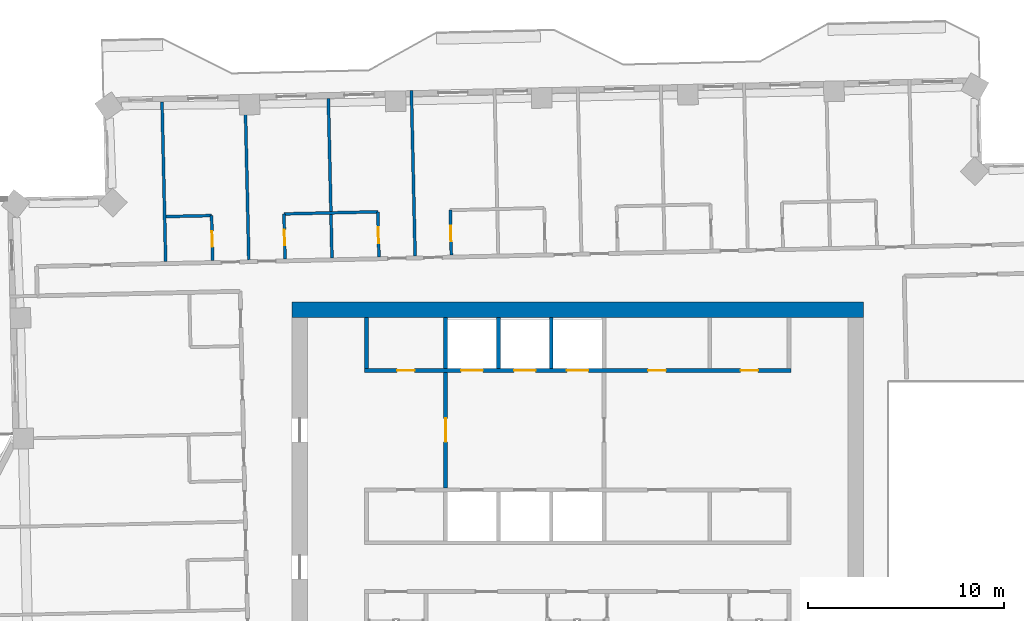
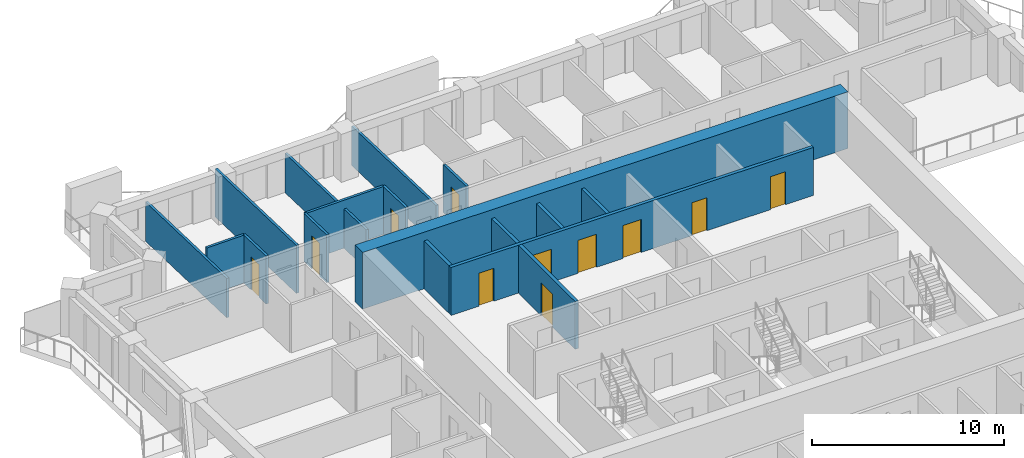
# One storey, part 10 of 17: 17 walls, 11 doors, 11 openings.
"""IFC4 building model written with IfcOpenShell, lengths in metres."""

from ifc_helpers import new_model, si_unit, direction, frame, frame_2d, origin, place, context, subcontext, project, spatial, rectangle, extrude, material, layer, layer_set, type_object, element, fill, save


model = new_model("IFC4")

# Units and contexts
model_context = context("Model", 3, precision=1e-05, world=origin(), true_north=direction((0.0, 1.0)))
body_context = subcontext(model_context, "Body", "Model", "MODEL_VIEW")
ifc_project = project(units=[si_unit("LENGTHUNIT", "METRE"), si_unit("AREAUNIT", "SQUARE_METRE"), si_unit("VOLUMEUNIT", "CUBIC_METRE"), si_unit("PLANEANGLEUNIT", "RADIAN"), si_unit("MASSUNIT", "GRAM", prefix="KILO")], contexts=[model_context])

# Site, building, storey
site_placement = place(None, origin())
site = spatial("IfcSite", under=ifc_project, at=site_placement, CompositionType="ELEMENT")
building_placement = place(site_placement, origin())
building = spatial("IfcBuilding", under=site, at=building_placement, Name="Mangrove Gate Tower", CompositionType="ELEMENT")
storey_placement = place(building_placement, frame((0.0, 0.0, 245.5)))
storey = spatial("IfcBuildingStorey", under=building, at=storey_placement, Name="L62", CompositionType="ELEMENT", Elevation=245.5)

# Wall, opening, door
ifc_material_1 = material(Name="Concrete C32/40", Category="concrete")
ifc_layer_1 = layer(ifc_material_1, 0.199951171875)
ifc_layer_set_1 = layer_set([ifc_layer_1], Name="Core lobby wall 200 C32/40")
wall_type_1 = type_object("IfcWallType", Name="Core lobby wall 200 C32/40", PredefinedType="STANDARD", material=ifc_layer_set_1)
wall_1_placement = place(storey_placement, frame((-6.75, 2.10009765625, 0.0), z_axis=(0.0, 0.0, 1.0), x_axis=(0.0, 1.0, 0.0)))
wall_1 = element("IfcWall", 1, at=wall_1_placement, inside=storey, type_object=wall_type_1, Name="WALL-L62-CORE-33", PredefinedType="STANDARD", context=body_context, shape_type="SweptSolid", body=[
    extrude(rectangle(XDim=5.89990234375, YDim=0.199951171875, at=frame_2d((2.949951171875, 0.0))), origin(), (0.0, 0.0, 1.0), 3.050048828125),
])
opening_1_placement = place(wall_1_placement, frame((2.35009765625, 0.0, 0.0)))
opening_1 = element("IfcOpeningElement", 2, at=opening_1_placement, cuts=wall_1, Name="Opening FL12", PredefinedType="OPENING", context=body_context, shape_type="SweptSolid", body=[
    extrude(rectangle(XDim=1.199951171875, YDim=2.10009765625, at=frame_2d((0.60009765625, 1.050048828125))), frame((0.0, 0.10986328125, 0.0), z_axis=(0.0, -1.0, 0.0), x_axis=(1.0, 0.0, 0.0)), (0.0, 0.0, 1.0), 0.219970703125),
])
ifc_material_2 = material(Name="Fire-rated steel door set", Category="steel")
door_type_1 = type_object("IfcDoorType", Name="Lobby door FD60 1200x2100", OperationType="SINGLE_SWING_LEFT", PredefinedType="DOOR", material=ifc_material_2)
door_1_placement = place(opening_1_placement, origin())
door_1 = element("IfcDoor", 3, at=door_1_placement, inside=storey, type_object=door_type_1, Name="Lobby door lift lobby partition", OperationType="SINGLE_SWING_LEFT", OverallHeight=2.10009765625, OverallWidth=1.199951171875, PredefinedType="DOOR", context=body_context, shape_type="SweptSolid", body=[
    extrude(rectangle(XDim=1.199951171875, YDim=2.10009765625, at=frame_2d((0.60009765625, 1.050048828125))), frame((0.0, 0.02490234375, 0.0), z_axis=(0.0, -1.0, 0.0), x_axis=(1.0, 0.0, 0.0)), (0.0, 0.0, 1.0), 0.050048828125),
])
fill(opening_1, door_1)

# Wall
ifc_material_3 = material(Name="Concrete C32/40", Category="concrete")
ifc_layer_2 = layer(ifc_material_3, 0.199951171875)
ifc_layer_set_2 = layer_set([ifc_layer_2], Name="Core room wall 200 C32/40")
wall_type_2 = type_object("IfcWallType", Name="Core room wall 200 C32/40", PredefinedType="STANDARD", material=ifc_layer_set_2)
wall_2_placement = place(storey_placement, frame((-10.800048828125, 8.199951171875, 0.0), z_axis=(0.0, 0.0, 1.0), x_axis=(0.0, 1.0, 0.0)))
element("IfcWall", 4, at=wall_2_placement, inside=storey, type_object=wall_type_2, Name="WALL-L62-CORE-26", PredefinedType="STANDARD", context=body_context, shape_type="SweptSolid", body=[
    extrude(rectangle(XDim=2.60009765625, YDim=0.199951171875, at=frame_2d((1.300048828125, 0.0))), origin(), (0.0, 0.0, 1.0), 3.050048828125),
])

# Wall, openings, doors
ifc_material_4 = material(Name="Concrete C60/75", Category="concrete")
ifc_layer_3 = layer(ifc_material_4, 0.199951171875)
ifc_layer_set_3 = layer_set([ifc_layer_3], Name="Core shaft wall 200 C60/75")
wall_type_3 = type_object("IfcWallType", Name="Core shaft wall 200 C60/75", PredefinedType="SHEAR", material=ifc_layer_set_3)
wall_3_placement = place(storey_placement, frame((-10.89990234375, 8.10009765625, 0.0), z_axis=(0.0, 0.0, 1.0), x_axis=(1.0, 0.0, 0.0)))
wall_3 = element("IfcWall", 5, at=wall_3_placement, inside=storey, type_object=wall_type_3, Name="WALL-L62-CORE-8", PredefinedType="SHEAR", context=body_context, shape_type="SweptSolid", body=[
    extrude(rectangle(XDim=21.7998046875, YDim=0.199951171875, at=frame_2d((10.89990234375, 0.0))), origin(), (0.0, 0.0, 1.0), 3.050048828125),
])
opening_2_placement = place(wall_3_placement, frame((4.949951171875, 0.0, 0.0)))
opening_2 = element("IfcOpeningElement", 6, at=opening_2_placement, cuts=wall_3, Name="Opening LD", PredefinedType="OPENING", context=body_context, shape_type="SweptSolid", body=[
    extrude(rectangle(XDim=1.10009765625, YDim=2.10009765625, at=frame_2d((0.550048828125, 1.050048828125))), frame((0.0, 0.10986328125, 0.0), z_axis=(0.0, -1.0, 0.0), x_axis=(1.0, 0.0, 0.0)), (0.0, 0.0, 1.0), 0.219970703125),
])
opening_3_placement = place(wall_3_placement, frame((7.64990234375, 0.0, 0.0)))
opening_3 = element("IfcOpeningElement", 7, at=opening_3_placement, cuts=wall_3, Name="Opening LD", PredefinedType="OPENING", context=body_context, shape_type="SweptSolid", body=[
    extrude(rectangle(XDim=1.10009765625, YDim=2.10009765625, at=frame_2d((0.550048828125, 1.050048828125))), frame((0.0, 0.10986328125, 0.0), z_axis=(0.0, -1.0, 0.0), x_axis=(1.0, 0.0, 0.0)), (0.0, 0.0, 1.0), 0.219970703125),
])
opening_4_placement = place(wall_3_placement, frame((10.35009765625, 0.0, 0.0)))
opening_4 = element("IfcOpeningElement", 8, at=opening_4_placement, cuts=wall_3, Name="Opening LD", PredefinedType="OPENING", context=body_context, shape_type="SweptSolid", body=[
    extrude(rectangle(XDim=1.10009765625, YDim=2.10009765625, at=frame_2d((0.550048828125, 1.050048828125))), frame((0.0, 0.10986328125, 0.0), z_axis=(0.0, -1.0, 0.0), x_axis=(1.0, 0.0, 0.0)), (0.0, 0.0, 1.0), 0.219970703125),
])
opening_5_placement = place(wall_3_placement, frame((1.675048828125, 0.0, 0.0)))
opening_5 = element("IfcOpeningElement", 9, at=opening_5_placement, cuts=wall_3, Name="Opening KD", PredefinedType="OPENING", context=body_context, shape_type="SweptSolid", body=[
    extrude(rectangle(XDim=0.89990234375, YDim=2.10009765625, at=frame_2d((0.449951171875, 1.050048828125))), frame((0.0, 0.10986328125, 0.0), z_axis=(0.0, -1.0, 0.0), x_axis=(1.0, 0.0, 0.0)), (0.0, 0.0, 1.0), 0.219970703125),
])
opening_6_placement = place(wall_3_placement, frame((14.5, 0.0, 0.0)))
opening_6 = element("IfcOpeningElement", 10, at=opening_6_placement, cuts=wall_3, Name="Opening RD", PredefinedType="OPENING", context=body_context, shape_type="SweptSolid", body=[
    extrude(rectangle(XDim=0.89990234375, YDim=2.10009765625, at=frame_2d((0.449951171875, 1.050048828125))), frame((0.0, 0.10986328125, 0.0), z_axis=(0.0, -1.0, 0.0), x_axis=(1.0, 0.0, 0.0)), (0.0, 0.0, 1.0), 0.219970703125),
])
opening_7_placement = place(wall_3_placement, frame((19.22509765625, 0.0, 0.0)))
opening_7 = element("IfcOpeningElement", 11, at=opening_7_placement, cuts=wall_3, Name="Opening RD", PredefinedType="OPENING", context=body_context, shape_type="SweptSolid", body=[
    extrude(rectangle(XDim=0.89990234375, YDim=2.10009765625, at=frame_2d((0.449951171875, 1.050048828125))), frame((0.0, 0.10986328125, 0.0), z_axis=(0.0, -1.0, 0.0), x_axis=(1.0, 0.0, 0.0)), (0.0, 0.0, 1.0), 0.219970703125),
])
ifc_material_5 = material(Name="Fire-rated steel door set", Category="steel")
door_type_2 = type_object("IfcDoorType", Name="Core room door FD30S 900x2100", OperationType="SINGLE_SWING_RIGHT", PredefinedType="DOOR", material=ifc_material_5)
door_2_placement = place(opening_5_placement, origin())
door_2 = element("IfcDoor", 12, at=door_2_placement, inside=storey, type_object=door_type_2, Name="Core room door Linen store", OperationType="SINGLE_SWING_RIGHT", OverallHeight=2.10009765625, OverallWidth=0.89990234375, PredefinedType="DOOR", context=body_context, shape_type="SweptSolid", body=[
    extrude(rectangle(XDim=0.89990234375, YDim=2.10009765625, at=frame_2d((0.449951171875, 1.050048828125))), frame((0.0, 0.02490234375, 0.0), z_axis=(0.0, -1.0, 0.0), x_axis=(1.0, 0.0, 0.0)), (0.0, 0.0, 1.0), 0.050048828125),
])
fill(opening_5, door_2)
ifc_material_6 = material(Name="Stainless steel 316", Category="steel")
door_type_3 = type_object("IfcDoorType", Name="Lift landing door 1100x2100", OperationType="SLIDING_TO_LEFT", PredefinedType="DOOR", material=ifc_material_6)
door_3_placement = place(opening_2_placement, origin())
door_3 = element("IfcDoor", 13, at=door_3_placement, inside=storey, type_object=door_type_3, Name="Landing door LD H04", OperationType="SLIDING_TO_LEFT", OverallHeight=2.10009765625, OverallWidth=1.10009765625, PredefinedType="DOOR", context=body_context, shape_type="SweptSolid", body=[
    extrude(rectangle(XDim=1.10009765625, YDim=2.10009765625, at=frame_2d((0.550048828125, 1.050048828125))), frame((0.0, 0.02490234375, 0.0), z_axis=(0.0, -1.0, 0.0), x_axis=(1.0, 0.0, 0.0)), (0.0, 0.0, 1.0), 0.050048828125),
])
fill(opening_2, door_3)
door_4_placement = place(opening_3_placement, origin())
door_4 = element("IfcDoor", 14, at=door_4_placement, inside=storey, type_object=door_type_3, Name="Landing door LD H05", OperationType="SLIDING_TO_LEFT", OverallHeight=2.10009765625, OverallWidth=1.10009765625, PredefinedType="DOOR", context=body_context, shape_type="SweptSolid", body=[
    extrude(rectangle(XDim=1.10009765625, YDim=2.10009765625, at=frame_2d((0.550048828125, 1.050048828125))), frame((0.0, 0.02490234375, 0.0), z_axis=(0.0, -1.0, 0.0), x_axis=(1.0, 0.0, 0.0)), (0.0, 0.0, 1.0), 0.050048828125),
])
fill(opening_3, door_4)
door_5_placement = place(opening_4_placement, origin())
door_5 = element("IfcDoor", 15, at=door_5_placement, inside=storey, type_object=door_type_3, Name="Landing door LD H06", OperationType="SLIDING_TO_LEFT", OverallHeight=2.10009765625, OverallWidth=1.10009765625, PredefinedType="DOOR", context=body_context, shape_type="SweptSolid", body=[
    extrude(rectangle(XDim=1.10009765625, YDim=2.10009765625, at=frame_2d((0.550048828125, 1.050048828125))), frame((0.0, 0.02490234375, 0.0), z_axis=(0.0, -1.0, 0.0), x_axis=(1.0, 0.0, 0.0)), (0.0, 0.0, 1.0), 0.050048828125),
])
fill(opening_4, door_5)
ifc_material_7 = material(Name="Fire-rated steel door set", Category="steel")
door_type_4 = type_object("IfcDoorType", Name="Riser door FD30S 900x2100", OperationType="SINGLE_SWING_LEFT", PredefinedType="DOOR", material=ifc_material_7)
door_6_placement = place(opening_6_placement, origin())
door_6 = element("IfcDoor", 16, at=door_6_placement, inside=storey, type_object=door_type_4, Name="Riser door Switch room", OperationType="SINGLE_SWING_LEFT", OverallHeight=2.10009765625, OverallWidth=0.89990234375, PredefinedType="DOOR", context=body_context, shape_type="SweptSolid", body=[
    extrude(rectangle(XDim=0.89990234375, YDim=2.10009765625, at=frame_2d((0.449951171875, 1.050048828125))), frame((0.0, 0.02490234375, 0.0), z_axis=(0.0, -1.0, 0.0), x_axis=(1.0, 0.0, 0.0)), (0.0, 0.0, 1.0), 0.050048828125),
])
fill(opening_6, door_6)
door_7_placement = place(opening_7_placement, origin())
door_7 = element("IfcDoor", 17, at=door_7_placement, inside=storey, type_object=door_type_4, Name="Riser door Comms room", OperationType="SINGLE_SWING_LEFT", OverallHeight=2.10009765625, OverallWidth=0.89990234375, PredefinedType="DOOR", context=body_context, shape_type="SweptSolid", body=[
    extrude(rectangle(XDim=0.89990234375, YDim=2.10009765625, at=frame_2d((0.449951171875, 1.050048828125))), frame((0.0, 0.02490234375, 0.0), z_axis=(0.0, -1.0, 0.0), x_axis=(1.0, 0.0, 0.0)), (0.0, 0.0, 1.0), 0.050048828125),
])
fill(opening_7, door_7)

# Walls
for number, where, z_axis, x_axis, name in (
    (18, (-6.75, 8.199951171875, 0.0), (0.0, 0.0, 1.0), (0.0, 1.0, 0.0), "WALL-L62-CORE-27"),
    (19, (-4.050048828125, 8.199951171875, 0.0), (0.0, 0.0, 1.0), (0.0, 1.0, 0.0), "WALL-L62-CORE-28"),
    (20, (-1.35009765625, 8.199951171875, 0.0), (0.0, 0.0, 1.0), (0.0, 1.0, 0.0), "WALL-L62-CORE-29"),
):
    element("IfcWall", number, at=place(storey_placement, frame(where, z_axis=z_axis, x_axis=x_axis)), inside=storey, type_object=wall_type_3, Name=name, PredefinedType="SHEAR", context=body_context, shape_type="SweptSolid", body=[
        extrude(rectangle(XDim=2.60009765625, YDim=0.199951171875, at=frame_2d((1.300048828125, 0.0))), origin(), (0.0, 0.0, 1.0), 3.050048828125),
    ])
ifc_material_8 = material(Name="Concrete C60/75", Category="concrete")
ifc_layer_4 = layer(ifc_material_8, 0.800048828125)
ifc_layer_set_4 = layer_set([ifc_layer_4], Name="Core wall 800 C60/75")
wall_type_4 = type_object("IfcWallType", Name="Core wall 800 C60/75", PredefinedType="SHEAR", material=ifc_layer_set_4)
wall_4_placement = place(storey_placement, frame((-14.60009765625, 11.199951171875, 0.0), z_axis=(0.0, 0.0, 1.0), x_axis=(1.0, 0.0, 0.0)))
element("IfcWall", 21, at=wall_4_placement, inside=storey, type_object=wall_type_4, Name="WALL-L62-CORE-2", PredefinedType="SHEAR", context=body_context, shape_type="SweptSolid", body=[
    extrude(rectangle(XDim=29.2001953125, YDim=0.800048828125, at=frame_2d((14.60009765625, 0.0))), origin(), (0.0, 0.0, 1.0), 3.60009765625),
])
ifc_material_9 = material(Name="Gypsum board on steel stud, EI 60", Category="steel")
ifc_layer_5 = layer(ifc_material_9, 0.14990234375)
ifc_layer_set_5 = layer_set([ifc_layer_5], Name="Party wall 150 EI 60")
wall_type_5 = type_object("IfcWallType", Name="Party wall 150 EI 60", PredefinedType="PARTITIONING", material=ifc_layer_set_5)
wall_5_placement = place(storey_placement, frame((-21.052001953125, 13.6630859375, 0.0), z_axis=(0.0, 0.0, 1.0), x_axis=(-0.022706435224, 0.999742175663, 0.0)))
element("IfcWall", 22, at=wall_5_placement, inside=storey, type_object=wall_type_5, Name="WALL-L62-059", PredefinedType="PARTITIONING", context=body_context, shape_type="SweptSolid", body=[
    extrude(rectangle(XDim=8.150146484375, YDim=0.14990234375, at=frame_2d((4.0751953125, 0.0))), origin(), (0.0, 0.0, 1.0), 2.5),
])

# Wall, opening, door
wall_6_placement = place(storey_placement, frame((-18.653076171875, 13.717041015625, 0.0), z_axis=(0.0, 0.0, 1.0), x_axis=(-0.022612884682, 0.999744296031, 0.0)))
wall_6 = element("IfcWall", 23, at=wall_6_placement, inside=storey, type_object=wall_type_5, Name="WALL-L62-060", PredefinedType="PARTITIONING", context=body_context, shape_type="SweptSolid", body=[
    extrude(rectangle(XDim=2.299560546875, YDim=0.14990234375, at=frame_2d((1.14990234375, 0.0))), origin(), (0.0, 0.0, 1.0), 3.050048828125),
])
opening_8_placement = place(wall_6_placement, frame((0.699951171875, 0.0, 0.0)))
opening_8 = element("IfcOpeningElement", 24, at=opening_8_placement, cuts=wall_6, Name="Opening ED", PredefinedType="OPENING", context=body_context, shape_type="SweptSolid", body=[
    extrude(rectangle(XDim=0.800048828125, YDim=2.10009765625, at=frame_2d((0.39990234375, 1.050048828125))), frame((0.0, 0.0849609375, 0.0), z_axis=(0.0, -1.0, 0.0), x_axis=(1.0, 0.0, 0.0)), (0.0, 0.0, 1.0), 0.169921875),
])
ifc_material_10 = material(Name="Timber door leaf", Category="wood")
door_type_5 = type_object("IfcDoorType", Name="En-suite door 800", OperationType="SINGLE_SWING_LEFT", PredefinedType="DOOR", material=ifc_material_10)
door_8_placement = place(opening_8_placement, origin())
door_8 = element("IfcDoor", 25, at=door_8_placement, inside=storey, type_object=door_type_5, Name="DOOR-L62-ENS-c517", OperationType="SINGLE_SWING_LEFT", OverallHeight=2.10009765625, OverallWidth=0.800048828125, PredefinedType="DOOR", context=body_context, shape_type="SweptSolid", body=[
    extrude(rectangle(XDim=0.800048828125, YDim=2.10009765625, at=frame_2d((0.39990234375, 1.050048828125))), frame((0.0, 0.02490234375, 0.0), z_axis=(0.0, -1.0, 0.0), x_axis=(1.0, 0.0, 0.0)), (0.0, 0.0, 1.0), 0.050048828125),
])
fill(opening_8, door_8)

# Wall
wall_7_placement = place(storey_placement, frame((-16.803955078125, 13.759033203125, 0.0), z_axis=(0.0, 0.0, 1.0), x_axis=(-0.022586673637, 0.999744888546, 0.0)))
element("IfcWall", 26, at=wall_7_placement, inside=storey, type_object=wall_type_5, Name="WALL-L62-061", PredefinedType="PARTITIONING", context=body_context, shape_type="SweptSolid", body=[
    extrude(rectangle(XDim=8.150146484375, YDim=0.14990234375, at=frame_2d((4.0751953125, 0.0))), origin(), (0.0, 0.0, 1.0), 3.050048828125),
])

# Wall, opening, door
wall_8_placement = place(storey_placement, frame((-14.9541015625, 13.801025390625, 0.0), z_axis=(0.0, 0.0, 1.0), x_axis=(-0.022612884682, 0.999744296031, 0.0)))
wall_8 = element("IfcWall", 27, at=wall_8_placement, inside=storey, type_object=wall_type_5, Name="WALL-L62-062", PredefinedType="PARTITIONING", context=body_context, shape_type="SweptSolid", body=[
    extrude(rectangle(XDim=2.299560546875, YDim=0.14990234375, at=frame_2d((1.14990234375, 0.0))), origin(), (0.0, 0.0, 1.0), 3.050048828125),
])
opening_9_placement = place(wall_8_placement, frame((0.699951171875, 0.0, 0.0)))
opening_9 = element("IfcOpeningElement", 28, at=opening_9_placement, cuts=wall_8, Name="Opening ED", PredefinedType="OPENING", context=body_context, shape_type="SweptSolid", body=[
    extrude(rectangle(XDim=0.800048828125, YDim=2.10009765625, at=frame_2d((0.39990234375, 1.050048828125))), frame((0.0, 0.0849609375, 0.0), z_axis=(0.0, -1.0, 0.0), x_axis=(1.0, 0.0, 0.0)), (0.0, 0.0, 1.0), 0.169921875),
])
door_9_placement = place(opening_9_placement, origin())
door_9 = element("IfcDoor", 29, at=door_9_placement, inside=storey, type_object=door_type_5, Name="DOOR-L62-ENS-c516", OperationType="SINGLE_SWING_RIGHT", OverallHeight=2.10009765625, OverallWidth=0.800048828125, PredefinedType="DOOR", context=body_context, shape_type="SweptSolid", body=[
    extrude(rectangle(XDim=0.800048828125, YDim=2.10009765625, at=frame_2d((0.39990234375, 1.050048828125))), frame((0.0, 0.02490234375, 0.0), z_axis=(0.0, -1.0, 0.0), x_axis=(1.0, 0.0, 0.0)), (0.0, 0.0, 1.0), 0.050048828125),
])
fill(opening_9, door_9)

# Wall
wall_9_placement = place(storey_placement, frame((-12.554931640625, 13.85498046875, 0.0), z_axis=(0.0, 0.0, 1.0), x_axis=(-0.022706435224, 0.999742175663, 0.0)))
element("IfcWall", 30, at=wall_9_placement, inside=storey, type_object=wall_type_5, Name="WALL-L62-063", PredefinedType="PARTITIONING", context=body_context, shape_type="SweptSolid", body=[
    extrude(rectangle(XDim=8.150146484375, YDim=0.14990234375, at=frame_2d((4.0751953125, 0.0))), origin(), (0.0, 0.0, 1.0), 2.5),
])

# Wall, opening, door
wall_10_placement = place(storey_placement, frame((-10.155029296875, 13.909912109375, 0.0), z_axis=(0.0, 0.0, 1.0), x_axis=(-0.022612884682, 0.999744296031, 0.0)))
wall_10 = element("IfcWall", 31, at=wall_10_placement, inside=storey, type_object=wall_type_5, Name="WALL-L62-064", PredefinedType="PARTITIONING", context=body_context, shape_type="SweptSolid", body=[
    extrude(rectangle(XDim=2.299560546875, YDim=0.14990234375, at=frame_2d((1.14990234375, 0.0))), origin(), (0.0, 0.0, 1.0), 3.050048828125),
])
opening_10_placement = place(wall_10_placement, frame((0.699951171875, 0.0, 0.0)))
opening_10 = element("IfcOpeningElement", 32, at=opening_10_placement, cuts=wall_10, Name="Opening ED", PredefinedType="OPENING", context=body_context, shape_type="SweptSolid", body=[
    extrude(rectangle(XDim=0.800048828125, YDim=2.10009765625, at=frame_2d((0.39990234375, 1.050048828125))), frame((0.0, 0.0849609375, 0.0), z_axis=(0.0, -1.0, 0.0), x_axis=(1.0, 0.0, 0.0)), (0.0, 0.0, 1.0), 0.169921875),
])
door_10_placement = place(opening_10_placement, origin())
door_10 = element("IfcDoor", 33, at=door_10_placement, inside=storey, type_object=door_type_5, Name="DOOR-L62-ENS-c515", OperationType="SINGLE_SWING_LEFT", OverallHeight=2.10009765625, OverallWidth=0.800048828125, PredefinedType="DOOR", context=body_context, shape_type="SweptSolid", body=[
    extrude(rectangle(XDim=0.800048828125, YDim=2.10009765625, at=frame_2d((0.39990234375, 1.050048828125))), frame((0.0, 0.02490234375, 0.0), z_axis=(0.0, -1.0, 0.0), x_axis=(1.0, 0.0, 0.0)), (0.0, 0.0, 1.0), 0.050048828125),
])
fill(opening_10, door_10)

# Wall
wall_11_placement = place(storey_placement, frame((-8.305908203125, 13.951904296875, 0.0), z_axis=(0.0, 0.0, 1.0), x_axis=(-0.022622304913, 0.999744082913, 0.0)))
element("IfcWall", 34, at=wall_11_placement, inside=storey, type_object=wall_type_5, Name="WALL-L62-065", PredefinedType="PARTITIONING", context=body_context, shape_type="SweptSolid", body=[
    extrude(rectangle(XDim=8.4501953125, YDim=0.14990234375, at=frame_2d((4.22509765625, 0.0))), origin(), (0.0, 0.0, 1.0), 2.5),
])

# Wall, opening, door
wall_12_placement = place(storey_placement, frame((-6.4560546875, 13.993896484375, 0.0), z_axis=(0.0, 0.0, 1.0), x_axis=(-0.022612884682, 0.999744296031, 0.0)))
wall_12 = element("IfcWall", 35, at=wall_12_placement, inside=storey, type_object=wall_type_5, Name="WALL-L62-066", PredefinedType="PARTITIONING", context=body_context, shape_type="SweptSolid", body=[
    extrude(rectangle(XDim=2.299560546875, YDim=0.14990234375, at=frame_2d((1.14990234375, 0.0))), origin(), (0.0, 0.0, 1.0), 3.050048828125),
])
opening_11_placement = place(wall_12_placement, frame((0.699951171875, 0.0, 0.0)))
opening_11 = element("IfcOpeningElement", 36, at=opening_11_placement, cuts=wall_12, Name="Opening ED", PredefinedType="OPENING", context=body_context, shape_type="SweptSolid", body=[
    extrude(rectangle(XDim=0.800048828125, YDim=2.10009765625, at=frame_2d((0.39990234375, 1.050048828125))), frame((0.0, 0.0849609375, 0.0), z_axis=(0.0, -1.0, 0.0), x_axis=(1.0, 0.0, 0.0)), (0.0, 0.0, 1.0), 0.169921875),
])
door_11_placement = place(opening_11_placement, origin())
door_11 = element("IfcDoor", 37, at=door_11_placement, inside=storey, type_object=door_type_5, Name="DOOR-L62-ENS-c414", OperationType="SINGLE_SWING_RIGHT", OverallHeight=2.10009765625, OverallWidth=0.800048828125, PredefinedType="DOOR", context=body_context, shape_type="SweptSolid", body=[
    extrude(rectangle(XDim=0.800048828125, YDim=2.10009765625, at=frame_2d((0.39990234375, 1.050048828125))), frame((0.0, 0.02490234375, 0.0), z_axis=(0.0, -1.0, 0.0), x_axis=(1.0, 0.0, 0.0)), (0.0, 0.0, 1.0), 0.050048828125),
])
fill(opening_11, door_11)

# Walls
wall_13_placement = place(storey_placement, frame((-21.033935546875, 15.964111328125, 0.0), z_axis=(0.0, 0.0, 1.0), x_axis=(0.999749954681, 0.022361308448, 0.0)))
element("IfcWall", 38, at=wall_13_placement, inside=storey, type_object=wall_type_5, Name="WALL-L62-078", PredefinedType="PARTITIONING", context=body_context, shape_type="SweptSolid", body=[
    extrude(rectangle(XDim=2.325439453125, YDim=0.14990234375, at=frame_2d((1.16259765625, 0.0))), origin(), (0.0, 0.0, 1.0), 3.050048828125),
])
wall_14_placement = place(storey_placement, frame((-15.010009765625, 16.10009765625, 0.0), z_axis=(0.0, 0.0, 1.0), x_axis=(0.999742701292, 0.022683280499, 0.0)))
element("IfcWall", 39, at=wall_14_placement, inside=storey, type_object=wall_type_5, Name="WALL-L62-079", PredefinedType="PARTITIONING", context=body_context, shape_type="SweptSolid", body=[
    extrude(rectangle(XDim=4.80029296875, YDim=0.14990234375, at=frame_2d((2.400146484375, 0.0))), origin(), (0.0, 0.0, 1.0), 3.050048828125),
])

save(model, "model.ifc")
